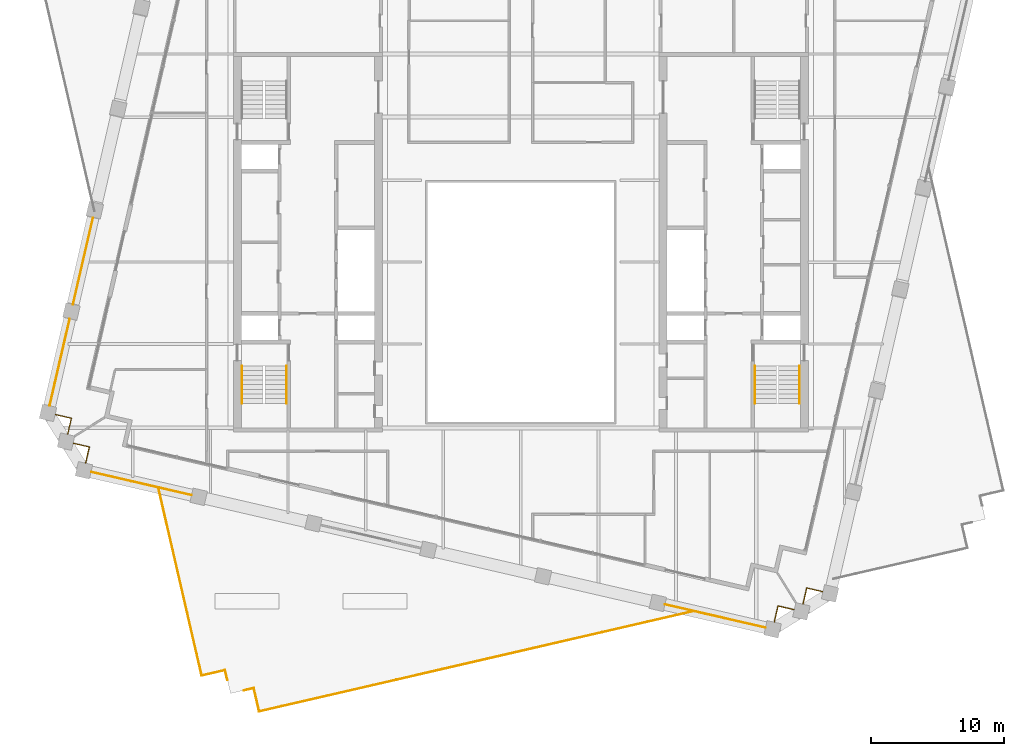
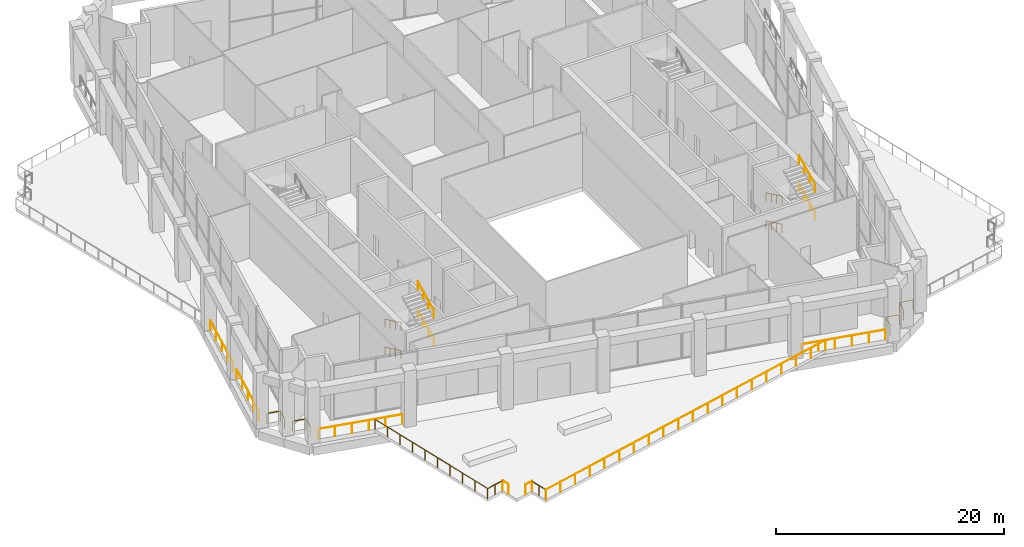
# One storey, part 18 of 21: 22 railings.
"""IFC4 building model written with IfcOpenShell, lengths in metres."""

import ifcopenshell
import ifcopenshell.guid

model = None  # the IFC model being written
_history = None  # IfcOwnerHistory: only IFC2X3 demands one
_inside = {}  # id of a spatial element -> (the spatial element, [elements in it])
_under = {}  # id of a project, library or spatial element -> (it, [spatial elements below it])
_declared = {}  # id of a project -> (the project, [libraries it declares])
_typed = {}  # id of a type object -> (the type object, [elements of that type])
_made_of = {}  # id of a material, layer set ... -> (it, [elements and type objects made of it])


def new_model(schema):
    """Start an empty IFC model of exactly this schema.

    Asked for "IFC4X3", IfcOpenShell would pick the latest addendum, in which some entities
    have other attributes; the version numbers below select the first issue.
    IFC2X3 requires an IfcOwnerHistory on every rooted entity: one is made here for all.
    """
    global model, _history
    if schema == "IFC4X3":
        model = ifcopenshell.file(schema_version=(4, 3, 0, 0))
    else:
        model = ifcopenshell.file(schema=schema)
    _inside.clear()
    _under.clear()
    _declared.clear()
    _typed.clear()
    _made_of.clear()
    _history = None
    if model.schema == "IFC2X3":
        org = make("IfcOrganization", Name="unknown")
        user = make(
            "IfcPersonAndOrganization",
            ThePerson=make("IfcPerson", FamilyName="unknown"),
            TheOrganization=org,
        )
        app = make(
            "IfcApplication",
            ApplicationDeveloper=org,
            Version="unknown",
            ApplicationFullName="unknown",
            ApplicationIdentifier="unknown",
        )
        _history = make(
            "IfcOwnerHistory",
            OwningUser=user,
            OwningApplication=app,
            ChangeAction="ADDED",
            CreationDate=0,
        )
    return model


def make(cls, **values):
    """One entity of the class cls with the attributes given. An attribute that is None is left unset."""
    return model.create_entity(
        cls, **{name: value for name, value in values.items() if value is not None}
    )


def rooted(cls, **values):
    """An entity with a GlobalId (a new one), such as an element, a storey or a relation."""
    return make(cls, GlobalId=ifcopenshell.guid.new(), OwnerHistory=_history, **values)


def si_unit(unit_type, name, prefix=None):
    """IfcSIUnit, for example si_unit("LENGTHUNIT", "METRE", prefix="MILLI")."""
    return make("IfcSIUnit", UnitType=unit_type, Prefix=prefix, Name=name)


def assignment(units):
    """IfcUnitAssignment: the units of a project."""
    return None if units is None else make("IfcUnitAssignment", Units=units)


def point(xyz):
    """IfcCartesianPoint."""
    return None if xyz is None else make("IfcCartesianPoint", Coordinates=xyz)


def direction(xyz):
    """IfcDirection."""
    return None if xyz is None else make("IfcDirection", DirectionRatios=xyz)


def frame(location, z_axis=None, x_axis=None):
    """IfcAxis2Placement3D, a coordinate frame: its origin and axes. An axis left out is left unset."""
    return make(
        "IfcAxis2Placement3D",
        Location=point(location),
        Axis=direction(z_axis),
        RefDirection=direction(x_axis),
    )


def frame_2d(location, x_axis=None):
    """IfcAxis2Placement2D, a coordinate frame in the plane: its origin and x axis."""
    return make(
        "IfcAxis2Placement2D", Location=point(location), RefDirection=direction(x_axis)
    )


def origin():
    """The frame at (0, 0, 0) with its axes left unset."""
    return frame((0.0, 0.0, 0.0))


def origin_2d():
    """The frame at (0, 0) in the plane with its x axis left unset."""
    return frame_2d((0.0, 0.0))


def place(relative_to, where):
    """IfcLocalPlacement: puts the frame where relative to a parent placement (None: the world)."""
    return make(
        "IfcLocalPlacement", PlacementRelTo=relative_to, RelativePlacement=where
    )


def context(
    kind, dimensions, precision=None, world=None, true_north=None, identifier=None
):
    """IfcGeometricRepresentationContext, for example the 3D "Model" context."""
    return make(
        "IfcGeometricRepresentationContext",
        ContextIdentifier=identifier,
        ContextType=kind,
        CoordinateSpaceDimension=dimensions,
        Precision=precision,
        WorldCoordinateSystem=world,
        TrueNorth=true_north,
    )


def subcontext(parent, identifier, kind, view, scale=None):
    """IfcGeometricRepresentationSubContext, for example "Body" below "Model"."""
    return make(
        "IfcGeometricRepresentationSubContext",
        ContextIdentifier=identifier,
        ContextType=kind,
        ParentContext=parent,
        TargetScale=scale,
        TargetView=view,
    )


def project(units=None, contexts=None):
    """IfcProject with its units and contexts."""
    return rooted(
        "IfcProject",
        Name="project",
        RepresentationContexts=contexts,
        UnitsInContext=assignment(units),
    )


def spatial(cls, under=None, at=None, **own):
    """A site, building, storey or space (cls), placed at a placement, below another one or the project."""
    s = rooted(cls, ObjectPlacement=at, **own)
    if under is not None:
        _under.setdefault(under.id(), (under, []))[1].append(s)
    return s


def profile(cls, at=None, kind="AREA", **sizes):
    """A parametric profile (cls). Its sizes go by their IFC names, for example OverallWidth=200.0."""
    return make(cls, ProfileType=kind, Position=at, **sizes)


def circle(**sizes):
    """IfcCircleProfileDef."""
    return profile("IfcCircleProfileDef", **sizes)


def extrude(swept, where, along, depth):
    """IfcExtrudedAreaSolid: the profile swept, set in the frame where, extruded along a direction by depth."""
    return make(
        "IfcExtrudedAreaSolid",
        SweptArea=swept,
        Position=where,
        ExtrudedDirection=direction(along),
        Depth=depth,
    )


def shape(context_of_items, identifier, shape_type, items):
    """IfcShapeRepresentation: the items that make up one representation, for example the "Body"."""
    return make(
        "IfcShapeRepresentation",
        ContextOfItems=context_of_items,
        RepresentationIdentifier=identifier,
        RepresentationType=shape_type,
        Items=items,
    )


def material(Name=None, Category=None):
    """IfcMaterial."""
    return make("IfcMaterial", Name=Name, Category=Category)


def made_of(thing, what):
    """Note that an element or type object is made of a material, layer set ...; save() writes the relation."""
    if what is not None:
        _made_of.setdefault(what.id(), (what, []))[1].append(thing)
    return thing


def type_object(cls, material=None, **own):
    """A type object (cls), such as IfcWallType, which elements share."""
    return made_of(rooted(cls, **own), material)


def element(
    cls,
    number,
    at=None,
    inside=None,
    cuts=None,
    type_object=None,
    material=None,
    context=None,
    identifier="Body",
    shape_type=None,
    held_by="IfcProductDefinitionShape",
    body=None,
    shapes=None,
    **own,
):
    """One element of the class cls, such as IfcWall. Its Tag is "e" and its number.

    at: its placement. inside: the storey or other place that contains it. cuts: it is an
    opening in that element (IfcRelVoidsElement). A single representation is given by context,
    identifier, shape_type and body (its items); several are given by shapes. held_by: the class
    of the entity that holds the representations. save() writes the other relations.
    """
    e = rooted(cls, Tag="e%d" % number, ObjectPlacement=at, **own)
    if body is not None:
        shapes = [shape(context, identifier, shape_type, body)]
    if shapes is not None:
        e.Representation = make(held_by, Representations=shapes)
    if inside is not None:
        _inside.setdefault(inside.id(), (inside, []))[1].append(e)
    if cuts is not None:
        rooted(
            "IfcRelVoidsElement", RelatingBuildingElement=cuts, RelatedOpeningElement=e
        )
    if type_object is not None:
        _typed.setdefault(type_object.id(), (type_object, []))[1].append(e)
    return made_of(e, material)


def aggregate(whole, parts):
    """IfcRelAggregates: a whole, such as a stair, and the parts it consists of."""
    return rooted("IfcRelAggregates", RelatingObject=whole, RelatedObjects=parts)


def save(model, path):
    """Write the relations noted so far, then the file.

    IfcRelAggregates (storeys below a building ...), IfcRelContainedInSpatialStructure (elements
    in a storey), IfcRelDefinesByType, IfcRelAssociatesMaterial and IfcRelDeclares: one each for
    every whole, place, type object, material and project.
    """
    for whole, parts in _under.values():
        aggregate(whole, parts)
    for where, things in _inside.values():
        rooted(
            "IfcRelContainedInSpatialStructure",
            RelatedElements=things,
            RelatingStructure=where,
        )
    for kind, things in _typed.values():
        rooted("IfcRelDefinesByType", RelatedObjects=things, RelatingType=kind)
    for what, things in _made_of.values():
        rooted("IfcRelAssociatesMaterial", RelatedObjects=things, RelatingMaterial=what)
    for by, libraries in _declared.values():
        rooted("IfcRelDeclares", RelatingContext=by, RelatedDefinitions=libraries)
    model.write(path)


model = new_model("IFC4")

# Units and contexts
model_context = context("Model", 3, precision=1e-05, world=origin(), true_north=direction((0.0, 1.0)))
body_context = subcontext(model_context, "Body", "Model", "MODEL_VIEW")
ifc_project = project(units=[si_unit("LENGTHUNIT", "METRE"), si_unit("AREAUNIT", "SQUARE_METRE"), si_unit("VOLUMEUNIT", "CUBIC_METRE"), si_unit("PLANEANGLEUNIT", "RADIAN"), si_unit("MASSUNIT", "GRAM", prefix="KILO")], contexts=[model_context])

# Site, building, storey
site_placement = place(None, origin())
site = spatial("IfcSite", under=ifc_project, at=site_placement, CompositionType="ELEMENT")
building_placement = place(site_placement, origin())
building = spatial("IfcBuilding", under=site, at=building_placement, Name="Ogive Exchange Tower", CompositionType="ELEMENT")
storey_placement = place(building_placement, frame((0.0, 0.0, 237.0)))
storey = spatial("IfcBuildingStorey", under=building, at=storey_placement, Name="L51", CompositionType="ELEMENT", Elevation=237.0)

# Railings
ifc_material_1 = material(Name="Stainless steel 316", Category="steel")
railing_type_1 = type_object("IfcRailingType", Name="Balustrade 1100 glass and stainless steel", PredefinedType="BALUSTRADE", material=ifc_material_1)
railing_1_placement = place(storey_placement, frame((-19.6494140625, -23.749267578125, 0.0)))
element("IfcRailing", 1, at=railing_1_placement, inside=storey, type_object=railing_type_1, Name="Terrace balustrade 1", PredefinedType="BALUSTRADE", context=body_context, shape_type="SweptSolid", body=[
    extrude(circle(Radius=0.02392578125, at=origin_2d()), frame((0.0, 0.0, 1.076171875), z_axis=(-0.224879318197, 0.974386623598, 0.0), x_axis=(-0.974386623598, -0.224879318197, 0.0)), (0.0, 0.0, 1.0), 1.800048828125),
    extrude(circle(Radius=0.02099609375, at=origin_2d()), origin(), (0.0, 0.0, 1.0), 1.052001953125),
    extrude(circle(Radius=0.02099609375, at=origin_2d()), frame((-0.202392578125, 0.876953125, 0.0)), (0.0, 0.0, 1.0), 1.052001953125),
    extrude(circle(Radius=0.02099609375, at=origin_2d()), frame((-0.40478515625, 1.75390625, 0.0)), (0.0, 0.0, 1.0), 1.052001953125),
])
railing_2_placement = place(storey_placement, frame((-20.05419921875, -21.995361328125, 0.0)))
element("IfcRailing", 2, at=railing_2_placement, inside=storey, type_object=railing_type_1, Name="Terrace balustrade 2", PredefinedType="BALUSTRADE", context=body_context, shape_type="SweptSolid", body=[
    extrude(circle(Radius=0.02392578125, at=origin_2d()), frame((0.0, 0.0, 1.076171875), z_axis=(-0.974369243905, -0.224954609936, 0.0), x_axis=(0.224954609936, -0.974369243905, 0.0)), (0.0, 0.0, 1.0), 0.75),
    extrude(circle(Radius=0.02099609375, at=origin_2d()), origin(), (0.0, 0.0, 1.0), 1.052001953125),
    extrude(circle(Radius=0.02099609375, at=origin_2d()), frame((-0.730712890625, -0.168701171875, 0.0)), (0.0, 0.0, 1.0), 1.052001953125),
])
railing_3_placement = place(storey_placement, frame((-22.044189453125, -21.376953125, 0.0)))
element("IfcRailing", 3, at=railing_3_placement, inside=storey, type_object=railing_type_1, Name="Terrace balustrade 3", PredefinedType="BALUSTRADE", context=body_context, shape_type="SweptSolid", body=[
    extrude(circle(Radius=0.02392578125, at=origin_2d()), frame((0.0, 0.0, 1.076171875), z_axis=(-0.225025988766, 0.974352761776, 0.0), x_axis=(-0.974352761776, -0.225025988766, 0.0)), (0.0, 0.0, 1.0), 0.749755859375),
    extrude(circle(Radius=0.02099609375, at=origin_2d()), origin(), (0.0, 0.0, 1.0), 1.052001953125),
    extrude(circle(Radius=0.02099609375, at=origin_2d()), frame((-0.168701171875, 0.73046875, 0.0)), (0.0, 0.0, 1.0), 1.052001953125),
])
railing_4_placement = place(storey_placement, frame((-22.212890625, -20.646484375, 0.0)))
element("IfcRailing", 4, at=railing_4_placement, inside=storey, type_object=railing_type_1, Name="Terrace balustrade 4", PredefinedType="BALUSTRADE", context=body_context, shape_type="SweptSolid", body=[
    extrude(circle(Radius=0.02392578125, at=origin_2d()), frame((0.0, 0.0, 1.076171875), z_axis=(-0.974386623598, -0.224879318197, 0.0), x_axis=(0.224879318197, -0.974386623598, 0.0)), (0.0, 0.0, 1.0), 1.800048828125),
    extrude(circle(Radius=0.02099609375, at=origin_2d()), origin(), (0.0, 0.0, 1.0), 1.052001953125),
    extrude(circle(Radius=0.02099609375, at=origin_2d()), frame((-0.876953125, -0.202392578125, 0.0)), (0.0, 0.0, 1.0), 1.052001953125),
    extrude(circle(Radius=0.02099609375, at=origin_2d()), frame((-1.75390625, -0.40478515625, 0.0)), (0.0, 0.0, 1.0), 1.052001953125),
])
railing_5_placement = place(storey_placement, frame((-23.966796875, -21.05126953125, 0.0)))
element("IfcRailing", 5, at=railing_5_placement, inside=storey, type_object=railing_type_1, Name="Terrace balustrade 5", PredefinedType="BALUSTRADE", context=body_context, shape_type="SweptSolid", body=[
    extrude(circle(Radius=0.02392578125, at=origin_2d()), frame((0.0, 0.0, 1.076171875), z_axis=(-0.224956677416, 0.97436876658, 0.0), x_axis=(-0.97436876658, -0.224956677416, 0.0)), (0.0, 0.0, 1.0), 14.49609375),
    extrude(circle(Radius=0.02099609375, at=origin_2d()), origin(), (0.0, 0.0, 1.0), 1.052001953125),
    extrude(circle(Radius=0.02099609375, at=origin_2d()), frame((-0.3623046875, 1.5693359375, 0.0)), (0.0, 0.0, 1.0), 1.052001953125),
    extrude(circle(Radius=0.02099609375, at=origin_2d()), frame((-0.724609375, 3.138671875, 0.0)), (0.0, 0.0, 1.0), 1.052001953125),
    extrude(circle(Radius=0.02099609375, at=origin_2d()), frame((-1.0869140625, 4.708251953125, 0.0)), (0.0, 0.0, 1.0), 1.052001953125),
    extrude(circle(Radius=0.02099609375, at=origin_2d()), frame((-1.44921875, 6.277587890625, 0.0)), (0.0, 0.0, 1.0), 1.052001953125),
    extrude(circle(Radius=0.02099609375, at=origin_2d()), frame((-1.811767578125, 7.846923828125, 0.0)), (0.0, 0.0, 1.0), 1.052001953125),
    extrude(circle(Radius=0.02099609375, at=origin_2d()), frame((-2.174072265625, 9.416259765625, 0.0)), (0.0, 0.0, 1.0), 1.052001953125),
    extrude(circle(Radius=0.02099609375, at=origin_2d()), frame((-2.536376953125, 10.98583984375, 0.0)), (0.0, 0.0, 1.0), 1.052001953125),
    extrude(circle(Radius=0.02099609375, at=origin_2d()), frame((-2.898681640625, 12.55517578125, 0.0)), (0.0, 0.0, 1.0), 1.052001953125),
    extrude(circle(Radius=0.02099609375, at=origin_2d()), frame((-3.260986328125, 14.12451171875, 0.0)), (0.0, 0.0, 1.0), 1.052001953125),
])
railing_6_placement = place(storey_placement, frame((12.994384765625, -16.212890625, 0.0)))
element("IfcRailing", 6, at=railing_6_placement, inside=storey, type_object=railing_type_1, Name="Terrace balustrade 6", PredefinedType="BALUSTRADE", context=body_context, shape_type="SweptSolid", body=[
    extrude(circle(Radius=0.02392578125, at=origin_2d()), frame((0.0, 0.0, 1.076171875), z_axis=(-0.974370312307, -0.224949982205, 0.0), x_axis=(0.224949982205, -0.974370312307, 0.0)), (0.0, 0.0, 1.0), 33.50244140625),
    extrude(circle(Radius=0.02099609375, at=origin_2d()), origin(), (0.0, 0.0, 1.0), 1.052001953125),
    extrude(circle(Radius=0.02099609375, at=origin_2d()), frame((-1.718017578125, -0.396728515625, 0.0)), (0.0, 0.0, 1.0), 1.052001953125),
    extrude(circle(Radius=0.02099609375, at=origin_2d()), frame((-3.436279296875, -0.793212890625, 0.0)), (0.0, 0.0, 1.0), 1.052001953125),
    extrude(circle(Radius=0.02099609375, at=origin_2d()), frame((-5.154296875, -1.18994140625, 0.0)), (0.0, 0.0, 1.0), 1.052001953125),
    extrude(circle(Radius=0.02099609375, at=origin_2d()), frame((-6.872314453125, -1.586669921875, 0.0)), (0.0, 0.0, 1.0), 1.052001953125),
    extrude(circle(Radius=0.02099609375, at=origin_2d()), frame((-8.590576171875, -1.983154296875, 0.0)), (0.0, 0.0, 1.0), 1.052001953125),
    extrude(circle(Radius=0.02099609375, at=origin_2d()), frame((-10.30859375, -2.3798828125, 0.0)), (0.0, 0.0, 1.0), 1.052001953125),
    extrude(circle(Radius=0.02099609375, at=origin_2d()), frame((-12.026611328125, -2.776611328125, 0.0)), (0.0, 0.0, 1.0), 1.052001953125),
    extrude(circle(Radius=0.02099609375, at=origin_2d()), frame((-13.744873046875, -3.173095703125, 0.0)), (0.0, 0.0, 1.0), 1.052001953125),
    extrude(circle(Radius=0.02099609375, at=origin_2d()), frame((-15.462890625, -3.56982421875, 0.0)), (0.0, 0.0, 1.0), 1.052001953125),
    extrude(circle(Radius=0.02099609375, at=origin_2d()), frame((-17.180908203125, -3.966552734375, 0.0)), (0.0, 0.0, 1.0), 1.052001953125),
    extrude(circle(Radius=0.02099609375, at=origin_2d()), frame((-18.89892578125, -4.36328125, 0.0)), (0.0, 0.0, 1.0), 1.052001953125),
    extrude(circle(Radius=0.02099609375, at=origin_2d()), frame((-20.6171875, -4.759765625, 0.0)), (0.0, 0.0, 1.0), 1.052001953125),
    extrude(circle(Radius=0.02099609375, at=origin_2d()), frame((-22.335205078125, -5.156494140625, 0.0)), (0.0, 0.0, 1.0), 1.052001953125),
    extrude(circle(Radius=0.02099609375, at=origin_2d()), frame((-24.05322265625, -5.55322265625, 0.0)), (0.0, 0.0, 1.0), 1.052001953125),
    extrude(circle(Radius=0.02099609375, at=origin_2d()), frame((-25.771484375, -5.94970703125, 0.0)), (0.0, 0.0, 1.0), 1.052001953125),
    extrude(circle(Radius=0.02099609375, at=origin_2d()), frame((-27.489501953125, -6.346435546875, 0.0)), (0.0, 0.0, 1.0), 1.052001953125),
    extrude(circle(Radius=0.02099609375, at=origin_2d()), frame((-29.20751953125, -6.7431640625, 0.0)), (0.0, 0.0, 1.0), 1.052001953125),
    extrude(circle(Radius=0.02099609375, at=origin_2d()), frame((-30.92578125, -7.1396484375, 0.0)), (0.0, 0.0, 1.0), 1.052001953125),
    extrude(circle(Radius=0.02099609375, at=origin_2d()), frame((-32.643798828125, -7.536376953125, 0.0)), (0.0, 0.0, 1.0), 1.052001953125),
])
railing_type_2 = type_object("IfcRailingType", Name="Guard 1100 stainless steel and glass", PredefinedType="GUARDRAIL", material=ifc_material_1)
railing_7_placement = place(storey_placement, frame((-32.26513671875, -5.763916015625, 0.0)))
element("IfcRailing", 7, at=railing_7_placement, inside=storey, type_object=railing_type_2, Name="Loggia guard S00", PredefinedType="GUARDRAIL", context=body_context, shape_type="SweptSolid", body=[
    extrude(circle(Radius=0.02392578125, at=origin_2d()), frame((0.0, 0.0, 1.076171875), z_axis=(0.974370377867, -0.224949698234, 0.0), x_axis=(0.224949698234, 0.974370377867, 0.0)), (0.0, 0.0, 1.0), 7.7099609375),
    extrude(circle(Radius=0.02099609375, at=origin_2d()), origin(), (0.0, 0.0, 1.0), 1.052001953125),
    extrude(circle(Radius=0.02099609375, at=origin_2d()), frame((1.50244140625, -0.346923828125, 0.0)), (0.0, 0.0, 1.0), 1.052001953125),
    extrude(circle(Radius=0.02099609375, at=origin_2d()), frame((3.0048828125, -0.69384765625, 0.0)), (0.0, 0.0, 1.0), 1.052001953125),
    extrude(circle(Radius=0.02099609375, at=origin_2d()), frame((4.507568359375, -1.04052734375, 0.0)), (0.0, 0.0, 1.0), 1.052001953125),
    extrude(circle(Radius=0.02099609375, at=origin_2d()), frame((6.010009765625, -1.387451171875, 0.0)), (0.0, 0.0, 1.0), 1.052001953125),
    extrude(circle(Radius=0.02099609375, at=origin_2d()), frame((7.512451171875, -1.734375, 0.0)), (0.0, 0.0, 1.0), 1.052001953125),
])
railing_8_placement = place(storey_placement, frame((10.850830078125, -15.718017578125, 0.0)))
element("IfcRailing", 8, at=railing_8_placement, inside=storey, type_object=railing_type_2, Name="Loggia guard S05", PredefinedType="GUARDRAIL", context=body_context, shape_type="SweptSolid", body=[
    extrude(circle(Radius=0.02392578125, at=origin_2d()), frame((0.0, 0.0, 1.076171875), z_axis=(0.974368775458, -0.224956638962, 0.0), x_axis=(0.224956638962, 0.974368775458, 0.0)), (0.0, 0.0, 1.0), 7.709716796875),
    extrude(circle(Radius=0.02099609375, at=origin_2d()), origin(), (0.0, 0.0, 1.0), 1.052001953125),
    extrude(circle(Radius=0.02099609375, at=origin_2d()), frame((1.50244140625, -0.346923828125, 0.0)), (0.0, 0.0, 1.0), 1.052001953125),
    extrude(circle(Radius=0.02099609375, at=origin_2d()), frame((3.0048828125, -0.69384765625, 0.0)), (0.0, 0.0, 1.0), 1.052001953125),
    extrude(circle(Radius=0.02099609375, at=origin_2d()), frame((4.50732421875, -1.04052734375, 0.0)), (0.0, 0.0, 1.0), 1.052001953125),
    extrude(circle(Radius=0.02099609375, at=origin_2d()), frame((6.009765625, -1.387451171875, 0.0)), (0.0, 0.0, 1.0), 1.052001953125),
    extrude(circle(Radius=0.02099609375, at=origin_2d()), frame((7.51220703125, -1.734375, 0.0)), (0.0, 0.0, 1.0), 1.052001953125),
])
for number, where, name in (
    (9, (-32.137451171875, 13.326904296875, 0.0), "Loggia guard W05"),
    (10, (-33.89208984375, 5.726806640625, 0.0), "Loggia guard W06"),
):
    element("IfcRailing", number, at=place(storey_placement, frame(where)), inside=storey, type_object=railing_type_2, Name=name, PredefinedType="GUARDRAIL", context=body_context, shape_type="SweptSolid", body=[
        extrude(circle(Radius=0.02392578125, at=origin_2d()), frame((0.0, 0.0, 1.076171875), z_axis=(-0.224926435811, -0.974375748094, 0.0), x_axis=(0.974375748094, -0.224926435811, 0.0)), (0.0, 0.0, 1.0), 6.66015625),
        extrude(circle(Radius=0.02099609375, at=origin_2d()), origin(), (0.0, 0.0, 1.0), 1.052001953125),
        extrude(circle(Radius=0.02099609375, at=origin_2d()), frame((-0.37451171875, -1.622314453125, 0.0)), (0.0, 0.0, 1.0), 1.052001953125),
        extrude(circle(Radius=0.02099609375, at=origin_2d()), frame((-0.7490234375, -3.24462890625, 0.0)), (0.0, 0.0, 1.0), 1.052001953125),
        extrude(circle(Radius=0.02099609375, at=origin_2d()), frame((-1.12353515625, -4.8671875, 0.0)), (0.0, 0.0, 1.0), 1.052001953125),
        extrude(circle(Radius=0.02099609375, at=origin_2d()), frame((-1.498046875, -6.489501953125, 0.0)), (0.0, 0.0, 1.0), 1.052001953125),
    ])
railing_9_placement = place(storey_placement, frame((19.046875, -17.025146484375, 0.0)))
element("IfcRailing", 11, at=railing_9_placement, inside=storey, type_object=railing_type_2, Name="Loggia guard C11", PredefinedType="GUARDRAIL", context=body_context, shape_type="SweptSolid", body=[
    extrude(circle(Radius=0.02392578125, at=origin_2d()), frame((0.0, 0.0, 1.076171875), z_axis=(0.224888499434, 0.974384504609, 0.0), x_axis=(-0.974384504609, 0.224888499434, 0.0)), (0.0, 0.0, 1.0), 1.22998046875),
    extrude(circle(Radius=0.02392578125, at=origin_2d()), frame((0.276611328125, 1.198486328125, 1.076171875), z_axis=(0.974384504609, -0.224888499434, 0.0), x_axis=(0.224888499434, 0.974384504609, 0.0)), (0.0, 0.0, 1.0), 1.22998046875),
    extrude(circle(Radius=0.02099609375, at=origin_2d()), origin(), (0.0, 0.0, 1.0), 1.052001953125),
    extrude(circle(Radius=0.02099609375, at=origin_2d()), frame((0.276611328125, 1.198486328125, 0.0)), (0.0, 0.0, 1.0), 1.052001953125),
    extrude(circle(Radius=0.02099609375, at=origin_2d()), frame((1.47509765625, 0.921875, 0.0)), (0.0, 0.0, 1.0), 1.052001953125),
])
railing_10_placement = place(storey_placement, frame((21.20556640625, -15.676025390625, 0.0)))
element("IfcRailing", 12, at=railing_10_placement, inside=storey, type_object=railing_type_2, Name="Loggia guard C12", PredefinedType="GUARDRAIL", context=body_context, shape_type="SweptSolid", body=[
    extrude(circle(Radius=0.02392578125, at=origin_2d()), frame((0.0, 0.0, 1.076171875), z_axis=(0.224932002185, 0.974374463127, 0.0), x_axis=(-0.974374463127, 0.224932002185, 0.0)), (0.0, 0.0, 1.0), 1.229736328125),
    extrude(circle(Radius=0.02392578125, at=origin_2d()), frame((0.276611328125, 1.1982421875, 1.076171875), z_axis=(0.974384504609, -0.224888499434, 0.0), x_axis=(0.224888499434, 0.974384504609, 0.0)), (0.0, 0.0, 1.0), 1.22998046875),
    extrude(circle(Radius=0.02099609375, at=origin_2d()), origin(), (0.0, 0.0, 1.0), 1.052001953125),
    extrude(circle(Radius=0.02099609375, at=origin_2d()), frame((0.276611328125, 1.1982421875, 0.0)), (0.0, 0.0, 1.0), 1.052001953125),
    extrude(circle(Radius=0.02099609375, at=origin_2d()), frame((1.47509765625, 0.921630859375, 0.0)), (0.0, 0.0, 1.0), 1.052001953125),
])
railing_11_placement = place(storey_placement, frame((-34.962890625, -1.4462890625, 0.0)))
element("IfcRailing", 13, at=railing_11_placement, inside=storey, type_object=railing_type_2, Name="Loggia guard C41", PredefinedType="GUARDRAIL", context=body_context, shape_type="SweptSolid", body=[
    extrude(circle(Radius=0.02392578125, at=origin_2d()), frame((0.0, 0.0, 1.076171875), z_axis=(0.974374463127, -0.224932002185, 0.0), x_axis=(0.224932002185, 0.974374463127, 0.0)), (0.0, 0.0, 1.0), 1.229736328125),
    extrude(circle(Radius=0.02392578125, at=origin_2d()), frame((1.1982421875, -0.276611328125, 1.076171875), z_axis=(-0.224888499434, -0.974384504609, 0.0), x_axis=(0.974384504609, -0.224888499434, 0.0)), (0.0, 0.0, 1.0), 1.22998046875),
    extrude(circle(Radius=0.02099609375, at=origin_2d()), origin(), (0.0, 0.0, 1.0), 1.052001953125),
    extrude(circle(Radius=0.02099609375, at=origin_2d()), frame((1.1982421875, -0.276611328125, 0.0)), (0.0, 0.0, 1.0), 1.052001953125),
    extrude(circle(Radius=0.02099609375, at=origin_2d()), frame((0.921630859375, -1.47509765625, 0.0)), (0.0, 0.0, 1.0), 1.052001953125),
])
railing_12_placement = place(storey_placement, frame((-33.614013671875, -3.60498046875, 0.0)))
element("IfcRailing", 14, at=railing_12_placement, inside=storey, type_object=railing_type_2, Name="Loggia guard C42", PredefinedType="GUARDRAIL", context=body_context, shape_type="SweptSolid", body=[
    extrude(circle(Radius=0.02392578125, at=origin_2d()), frame((0.0, 0.0, 1.076171875), z_axis=(0.974384504609, -0.224888499434, 0.0), x_axis=(0.224888499434, 0.974384504609, 0.0)), (0.0, 0.0, 1.0), 1.22998046875),
    extrude(circle(Radius=0.02392578125, at=origin_2d()), frame((1.198486328125, -0.276611328125, 1.076171875), z_axis=(-0.225076937652, -0.974340993768, 0.0), x_axis=(0.974340993768, -0.225076937652, 0.0)), (0.0, 0.0, 1.0), 1.22998046875),
    extrude(circle(Radius=0.02099609375, at=origin_2d()), origin(), (0.0, 0.0, 1.0), 1.052001953125),
    extrude(circle(Radius=0.02099609375, at=origin_2d()), frame((1.198486328125, -0.276611328125, 0.0)), (0.0, 0.0, 1.0), 1.052001953125),
    extrude(circle(Radius=0.02099609375, at=origin_2d()), frame((0.921630859375, -1.47509765625, 0.0)), (0.0, 0.0, 1.0), 1.052001953125),
])
ifc_material_2 = material(Name="Stainless steel", Category="steel")
railing_type_3 = type_object("IfcRailingType", Name="Stair handrail 900", PredefinedType="HANDRAIL", material=ifc_material_2)
railing_13_placement = place(storey_placement, frame((-20.949951171875, 2.199951171875, 0.166748046875)))
element("IfcRailing", 15, at=railing_13_placement, inside=storey, type_object=railing_type_3, Name="L51 ST1 stair handrail 1", PredefinedType="HANDRAIL", context=body_context, shape_type="SweptSolid", body=[
    extrude(circle(Radius=0.02392578125, at=origin_2d()), frame((0.0, 0.0, 0.8759765625), z_axis=(0.0, -0.903337615296, 0.428930242338), x_axis=(1.0, 0.0, 0.0)), (0.0, 0.0, 1.0), 3.1083984375),
    extrude(circle(Radius=0.02099609375, at=origin_2d()), origin(), (0.0, 0.0, 1.0), 0.851806640625),
    extrude(circle(Radius=0.02099609375, at=origin_2d()), frame((0.0, -0.93603515625, 0.4443359375)), (0.0, 0.0, 1.0), 0.851806640625),
    extrude(circle(Radius=0.02099609375, at=origin_2d()), frame((0.0, -1.871826171875, 0.888916015625)), (0.0, 0.0, 1.0), 0.851806640625),
    extrude(circle(Radius=0.02099609375, at=origin_2d()), frame((0.0, -2.807861328125, 1.333251953125)), (0.0, 0.0, 1.0), 0.851806640625),
])
railing_14_placement = place(storey_placement, frame((-17.60009765625, -0.60791015625, 1.666748046875)))
element("IfcRailing", 16, at=railing_14_placement, inside=storey, type_object=railing_type_3, Name="L51 ST1 stair handrail 2", PredefinedType="HANDRAIL", context=body_context, shape_type="SweptSolid", body=[
    extrude(circle(Radius=0.02392578125, at=origin_2d()), frame((0.0, 0.0, 0.8759765625), z_axis=(0.0, 0.903337615296, 0.428930242338), x_axis=(-1.0, 0.0, 0.0)), (0.0, 0.0, 1.0), 3.1083984375),
    extrude(circle(Radius=0.02099609375, at=origin_2d()), origin(), (0.0, 0.0, 1.0), 0.851806640625),
    extrude(circle(Radius=0.02099609375, at=origin_2d()), frame((0.0, 0.93603515625, 0.4443359375)), (0.0, 0.0, 1.0), 0.851806640625),
    extrude(circle(Radius=0.02099609375, at=origin_2d()), frame((0.0, 1.871826171875, 0.888916015625)), (0.0, 0.0, 1.0), 0.851806640625),
    extrude(circle(Radius=0.02099609375, at=origin_2d()), frame((0.0, 2.807861328125, 1.333251953125)), (0.0, 0.0, 1.0), 0.851806640625),
])
railing_15_placement = place(storey_placement, frame((-20.949951171875, 2.199951171875, 3.166748046875)))
element("IfcRailing", 17, at=railing_15_placement, inside=storey, type_object=railing_type_3, Name="L51 ST1 stair handrail 3", PredefinedType="HANDRAIL", context=body_context, shape_type="SweptSolid", body=[
    extrude(circle(Radius=0.02392578125, at=origin_2d()), frame((0.0, 0.0, 0.8759765625), z_axis=(0.0, -0.903337615296, 0.428930242338), x_axis=(1.0, 0.0, 0.0)), (0.0, 0.0, 1.0), 3.1083984375),
    extrude(circle(Radius=0.02099609375, at=origin_2d()), origin(), (0.0, 0.0, 1.0), 0.851806640625),
    extrude(circle(Radius=0.02099609375, at=origin_2d()), frame((0.0, -0.93603515625, 0.4443359375)), (0.0, 0.0, 1.0), 0.851806640625),
    extrude(circle(Radius=0.02099609375, at=origin_2d()), frame((0.0, -1.871826171875, 0.888916015625)), (0.0, 0.0, 1.0), 0.851806640625),
    extrude(circle(Radius=0.02099609375, at=origin_2d()), frame((0.0, -2.807861328125, 1.333251953125)), (0.0, 0.0, 1.0), 0.851806640625),
])
railing_16_placement = place(storey_placement, frame((-17.60009765625, -0.60791015625, 4.666748046875)))
element("IfcRailing", 18, at=railing_16_placement, inside=storey, type_object=railing_type_3, Name="L51 ST1 stair handrail 4", PredefinedType="HANDRAIL", context=body_context, shape_type="SweptSolid", body=[
    extrude(circle(Radius=0.02392578125, at=origin_2d()), frame((0.0, 0.0, 0.8759765625), z_axis=(0.0, 0.903337615296, 0.428930242338), x_axis=(-1.0, 0.0, 0.0)), (0.0, 0.0, 1.0), 3.1083984375),
    extrude(circle(Radius=0.02099609375, at=origin_2d()), origin(), (0.0, 0.0, 1.0), 0.851806640625),
    extrude(circle(Radius=0.02099609375, at=origin_2d()), frame((0.0, 0.93603515625, 0.4443359375)), (0.0, 0.0, 1.0), 0.851806640625),
    extrude(circle(Radius=0.02099609375, at=origin_2d()), frame((0.0, 1.871826171875, 0.888916015625)), (0.0, 0.0, 1.0), 0.851806640625),
    extrude(circle(Radius=0.02099609375, at=origin_2d()), frame((0.0, 2.807861328125, 1.333251953125)), (0.0, 0.0, 1.0), 0.851806640625),
])
railing_17_placement = place(storey_placement, frame((17.60009765625, 2.199951171875, 0.166748046875)))
element("IfcRailing", 19, at=railing_17_placement, inside=storey, type_object=railing_type_3, Name="L51 ST3 stair handrail 1", PredefinedType="HANDRAIL", context=body_context, shape_type="SweptSolid", body=[
    extrude(circle(Radius=0.02392578125, at=origin_2d()), frame((0.0, 0.0, 0.8759765625), z_axis=(0.0, -0.903337615296, 0.428930242338), x_axis=(1.0, 0.0, 0.0)), (0.0, 0.0, 1.0), 3.1083984375),
    extrude(circle(Radius=0.02099609375, at=origin_2d()), origin(), (0.0, 0.0, 1.0), 0.851806640625),
    extrude(circle(Radius=0.02099609375, at=origin_2d()), frame((0.0, -0.93603515625, 0.4443359375)), (0.0, 0.0, 1.0), 0.851806640625),
    extrude(circle(Radius=0.02099609375, at=origin_2d()), frame((0.0, -1.871826171875, 0.888916015625)), (0.0, 0.0, 1.0), 0.851806640625),
    extrude(circle(Radius=0.02099609375, at=origin_2d()), frame((0.0, -2.807861328125, 1.333251953125)), (0.0, 0.0, 1.0), 0.851806640625),
])
railing_18_placement = place(storey_placement, frame((20.949951171875, -0.60791015625, 1.666748046875)))
element("IfcRailing", 20, at=railing_18_placement, inside=storey, type_object=railing_type_3, Name="L51 ST3 stair handrail 2", PredefinedType="HANDRAIL", context=body_context, shape_type="SweptSolid", body=[
    extrude(circle(Radius=0.02392578125, at=origin_2d()), frame((0.0, 0.0, 0.8759765625), z_axis=(0.0, 0.903337615296, 0.428930242338), x_axis=(-1.0, 0.0, 0.0)), (0.0, 0.0, 1.0), 3.1083984375),
    extrude(circle(Radius=0.02099609375, at=origin_2d()), origin(), (0.0, 0.0, 1.0), 0.851806640625),
    extrude(circle(Radius=0.02099609375, at=origin_2d()), frame((0.0, 0.93603515625, 0.4443359375)), (0.0, 0.0, 1.0), 0.851806640625),
    extrude(circle(Radius=0.02099609375, at=origin_2d()), frame((0.0, 1.871826171875, 0.888916015625)), (0.0, 0.0, 1.0), 0.851806640625),
    extrude(circle(Radius=0.02099609375, at=origin_2d()), frame((0.0, 2.807861328125, 1.333251953125)), (0.0, 0.0, 1.0), 0.851806640625),
])
railing_19_placement = place(storey_placement, frame((17.60009765625, 2.199951171875, 3.166748046875)))
element("IfcRailing", 21, at=railing_19_placement, inside=storey, type_object=railing_type_3, Name="L51 ST3 stair handrail 3", PredefinedType="HANDRAIL", context=body_context, shape_type="SweptSolid", body=[
    extrude(circle(Radius=0.02392578125, at=origin_2d()), frame((0.0, 0.0, 0.8759765625), z_axis=(0.0, -0.903337615296, 0.428930242338), x_axis=(1.0, 0.0, 0.0)), (0.0, 0.0, 1.0), 3.1083984375),
    extrude(circle(Radius=0.02099609375, at=origin_2d()), origin(), (0.0, 0.0, 1.0), 0.851806640625),
    extrude(circle(Radius=0.02099609375, at=origin_2d()), frame((0.0, -0.93603515625, 0.4443359375)), (0.0, 0.0, 1.0), 0.851806640625),
    extrude(circle(Radius=0.02099609375, at=origin_2d()), frame((0.0, -1.871826171875, 0.888916015625)), (0.0, 0.0, 1.0), 0.851806640625),
    extrude(circle(Radius=0.02099609375, at=origin_2d()), frame((0.0, -2.807861328125, 1.333251953125)), (0.0, 0.0, 1.0), 0.851806640625),
])
railing_20_placement = place(storey_placement, frame((20.949951171875, -0.60791015625, 4.666748046875)))
element("IfcRailing", 22, at=railing_20_placement, inside=storey, type_object=railing_type_3, Name="L51 ST3 stair handrail 4", PredefinedType="HANDRAIL", context=body_context, shape_type="SweptSolid", body=[
    extrude(circle(Radius=0.02392578125, at=origin_2d()), frame((0.0, 0.0, 0.8759765625), z_axis=(0.0, 0.903337615296, 0.428930242338), x_axis=(-1.0, 0.0, 0.0)), (0.0, 0.0, 1.0), 3.1083984375),
    extrude(circle(Radius=0.02099609375, at=origin_2d()), origin(), (0.0, 0.0, 1.0), 0.851806640625),
    extrude(circle(Radius=0.02099609375, at=origin_2d()), frame((0.0, 0.93603515625, 0.4443359375)), (0.0, 0.0, 1.0), 0.851806640625),
    extrude(circle(Radius=0.02099609375, at=origin_2d()), frame((0.0, 1.871826171875, 0.888916015625)), (0.0, 0.0, 1.0), 0.851806640625),
    extrude(circle(Radius=0.02099609375, at=origin_2d()), frame((0.0, 2.807861328125, 1.333251953125)), (0.0, 0.0, 1.0), 0.851806640625),
])

save(model, "model.ifc")
